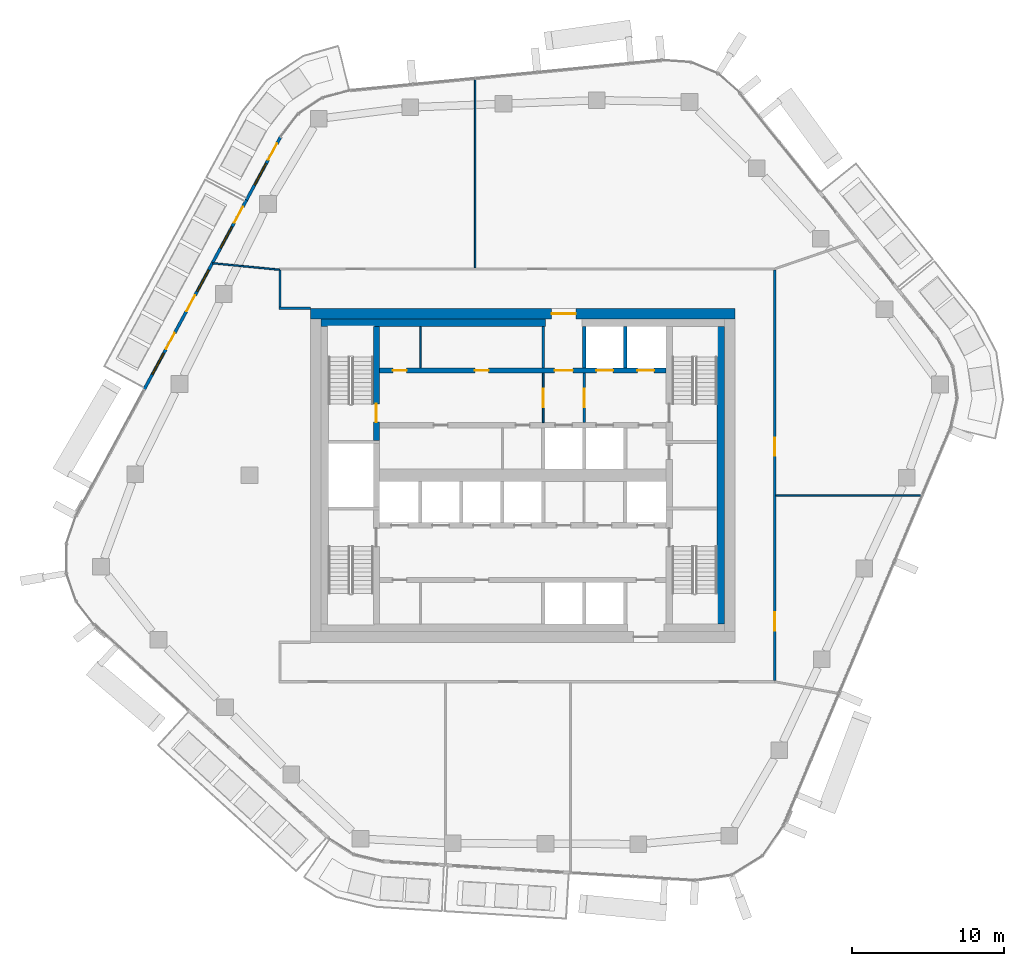
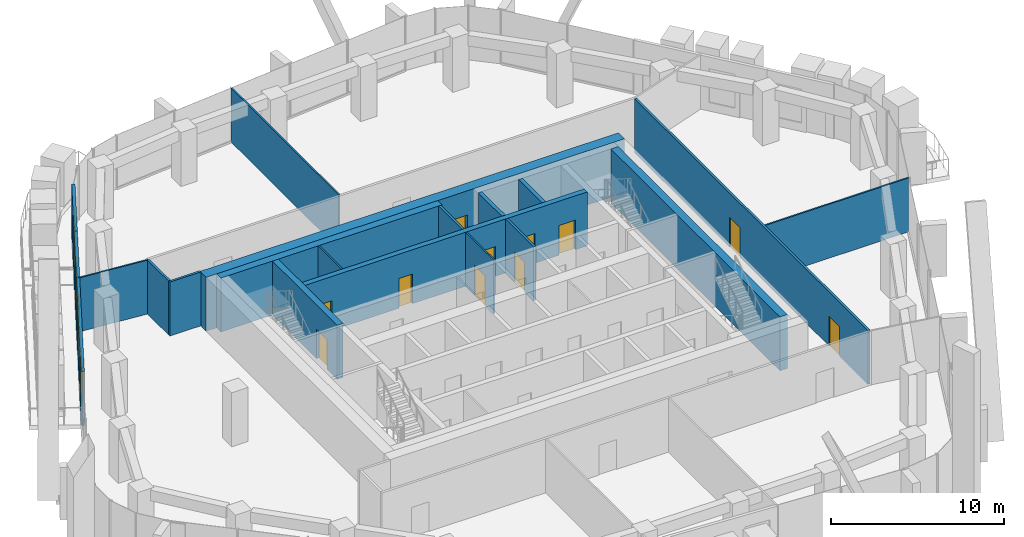
# One storey, part 13 of 20: 19 walls, 15 doors, 4 windows, 19 openings.
"""IFC4 building model written with IfcOpenShell, lengths in metres."""

from ifc_helpers import new_model, si_unit, direction, frame, frame_2d, origin, place, context, subcontext, project, spatial, rectangle, extrude, material, layer, layer_set, type_object, element, fill, save


model = new_model("IFC4")

# Units and contexts
model_context = context("Model", 3, precision=1e-05, world=origin(), true_north=direction((0.0, 1.0)))
body_context = subcontext(model_context, "Body", "Model", "MODEL_VIEW")
ifc_project = project(units=[si_unit("LENGTHUNIT", "METRE"), si_unit("AREAUNIT", "SQUARE_METRE"), si_unit("VOLUMEUNIT", "CUBIC_METRE"), si_unit("PLANEANGLEUNIT", "RADIAN"), si_unit("MASSUNIT", "GRAM", prefix="KILO")], contexts=[model_context])

# Site, building, storey
site_placement = place(None, origin())
site = spatial("IfcSite", under=ifc_project, at=site_placement, CompositionType="ELEMENT")
building_placement = place(site_placement, origin())
building = spatial("IfcBuilding", under=site, at=building_placement, Name="Dongbaek Canopy Tower", CompositionType="ELEMENT")
storey_placement = place(building_placement, frame((0.0, 0.0, 253.800048828125)))
storey = spatial("IfcBuildingStorey", under=building, at=storey_placement, Name="L53", CompositionType="ELEMENT", Elevation=253.800048828125)

# Wall, openings, doors
ifc_material_1 = material(Name="Concrete C60/75", Category="concrete")
ifc_layer_1 = layer(ifc_material_1, 0.35009765625)
ifc_layer_set_1 = layer_set([ifc_layer_1], Name="Core lobby wall 350 Concrete C60/75")
wall_type_1 = type_object("IfcWallType", Name="Core lobby wall 350 Concrete C60/75", PredefinedType="SHEAR", material=ifc_layer_set_1)
wall_1_placement = place(storey_placement, frame((-9.449951171875, 6.89990234375, 0.0), z_axis=(0.0, 0.0, 1.0), x_axis=(1.0, 0.0, 0.0)))
wall_1 = element("IfcWall", 1, at=wall_1_placement, inside=storey, type_object=wall_type_1, Name="Core wall", PredefinedType="SHEAR", context=body_context, shape_type="SweptSolid", body=[
    extrude(rectangle(XDim=18.89990234375, YDim=0.35009765625, at=frame_2d((9.449951171875, 0.0))), origin(), (0.0, 0.0, 1.0), 3.820068359375),
])
opening_1_placement = place(wall_1_placement, frame((11.550048828125, 0.0, 0.0)))
opening_1 = element("IfcOpeningElement", 2, at=opening_1_placement, cuts=wall_1, Name="Opening L53-D010", PredefinedType="OPENING", context=body_context, shape_type="SweptSolid", body=[
    extrude(rectangle(XDim=1.199951171875, YDim=2.10009765625, at=frame_2d((0.60009765625, 1.050048828125))), frame((0.0, 0.18505859375, 0.0), z_axis=(0.0, -1.0, 0.0), x_axis=(1.0, 0.0, 0.0)), (0.0, 0.0, 1.0), 0.3701171875),
])
opening_2_placement = place(wall_1_placement, frame((14.300048828125, 0.0, 0.0)))
opening_2 = element("IfcOpeningElement", 3, at=opening_2_placement, cuts=wall_1, Name="Opening L53-D011", PredefinedType="OPENING", context=body_context, shape_type="SweptSolid", body=[
    extrude(rectangle(XDim=1.10009765625, YDim=2.10009765625, at=frame_2d((0.550048828125, 1.050048828125))), frame((0.0, 0.18505859375, 0.0), z_axis=(0.0, -1.0, 0.0), x_axis=(1.0, 0.0, 0.0)), (0.0, 0.0, 1.0), 0.3701171875),
])
opening_3_placement = place(wall_1_placement, frame((17.0, 0.0, 0.0)))
opening_3 = element("IfcOpeningElement", 4, at=opening_3_placement, cuts=wall_1, Name="Opening L53-D012", PredefinedType="OPENING", context=body_context, shape_type="SweptSolid", body=[
    extrude(rectangle(XDim=1.10009765625, YDim=2.10009765625, at=frame_2d((0.550048828125, 1.050048828125))), frame((0.0, 0.18505859375, 0.0), z_axis=(0.0, -1.0, 0.0), x_axis=(1.0, 0.0, 0.0)), (0.0, 0.0, 1.0), 0.3701171875),
])
opening_4_placement = place(wall_1_placement, frame((0.89990234375, 0.0, 0.0)))
opening_4 = element("IfcOpeningElement", 5, at=opening_4_placement, cuts=wall_1, Name="Opening L53-D023", PredefinedType="OPENING", context=body_context, shape_type="SweptSolid", body=[
    extrude(rectangle(XDim=0.89990234375, YDim=2.10009765625, at=frame_2d((0.449951171875, 1.050048828125))), frame((0.0, 0.18505859375, 0.0), z_axis=(0.0, -1.0, 0.0), x_axis=(1.0, 0.0, 0.0)), (0.0, 0.0, 1.0), 0.3701171875),
])
opening_5_placement = place(wall_1_placement, frame((6.300048828125, 0.0, 0.0)))
opening_5 = element("IfcOpeningElement", 6, at=opening_5_placement, cuts=wall_1, Name="Opening L53-D024", PredefinedType="OPENING", context=body_context, shape_type="SweptSolid", body=[
    extrude(rectangle(XDim=0.89990234375, YDim=2.10009765625, at=frame_2d((0.449951171875, 1.050048828125))), frame((0.0, 0.18505859375, 0.0), z_axis=(0.0, -1.0, 0.0), x_axis=(1.0, 0.0, 0.0)), (0.0, 0.0, 1.0), 0.3701171875),
])
ifc_material_2 = material(Name="Steel", Category="steel")
door_type_1 = type_object("IfcDoorType", Name="Core room door 900 x 2100", OperationType="SINGLE_SWING_LEFT", PredefinedType="DOOR", material=ifc_material_2)
door_1_placement = place(opening_4_placement, origin())
door_1 = element("IfcDoor", 7, at=door_1_placement, inside=storey, type_object=door_type_1, Name="Door L53-D023", OperationType="SINGLE_SWING_RIGHT", OverallHeight=2.10009765625, OverallWidth=0.89990234375, PredefinedType="DOOR", context=body_context, shape_type="SweptSolid", body=[
    extrude(rectangle(XDim=0.89990234375, YDim=2.10009765625, at=frame_2d((0.449951171875, 1.050048828125))), frame((0.0, 0.02490234375, 0.0), z_axis=(0.0, -1.0, 0.0), x_axis=(1.0, 0.0, 0.0)), (0.0, 0.0, 1.0), 0.050048828125),
])
fill(opening_4, door_1)
door_2_placement = place(opening_5_placement, origin())
door_2 = element("IfcDoor", 8, at=door_2_placement, inside=storey, type_object=door_type_1, Name="Door L53-D024", OperationType="SINGLE_SWING_LEFT", OverallHeight=2.10009765625, OverallWidth=0.89990234375, PredefinedType="DOOR", context=body_context, shape_type="SweptSolid", body=[
    extrude(rectangle(XDim=0.89990234375, YDim=2.10009765625, at=frame_2d((0.449951171875, 1.050048828125))), frame((0.0, 0.02490234375, 0.0), z_axis=(0.0, -1.0, 0.0), x_axis=(1.0, 0.0, 0.0)), (0.0, 0.0, 1.0), 0.050048828125),
])
fill(opening_5, door_2)
ifc_material_3 = material(Name="Steel", Category="steel")
door_type_2 = type_object("IfcDoorType", Name="Fire lobby door 1200 x 2100", OperationType="SINGLE_SWING_LEFT", PredefinedType="DOOR", material=ifc_material_3)
door_3_placement = place(opening_1_placement, origin())
door_3 = element("IfcDoor", 9, at=door_3_placement, inside=storey, type_object=door_type_2, Name="Door L53-D010", OperationType="SINGLE_SWING_LEFT", OverallHeight=2.10009765625, OverallWidth=1.199951171875, PredefinedType="DOOR", context=body_context, shape_type="SweptSolid", body=[
    extrude(rectangle(XDim=1.199951171875, YDim=2.10009765625, at=frame_2d((0.60009765625, 1.050048828125))), frame((0.0, 0.02490234375, 0.0), z_axis=(0.0, -1.0, 0.0), x_axis=(1.0, 0.0, 0.0)), (0.0, 0.0, 1.0), 0.050048828125),
])
fill(opening_1, door_3)
ifc_material_4 = material(Name="Stainless steel", Category="steel")
door_type_3 = type_object("IfcDoorType", Name="Lift landing door 1100 x 2100", OperationType="DOUBLE_DOOR_SLIDING", PredefinedType="DOOR", material=ifc_material_4)
door_4_placement = place(opening_2_placement, origin())
door_4 = element("IfcDoor", 10, at=door_4_placement, inside=storey, type_object=door_type_3, Name="Landing door FF1", OperationType="DOUBLE_DOOR_SLIDING", OverallHeight=2.10009765625, OverallWidth=1.10009765625, PredefinedType="DOOR", context=body_context, shape_type="SweptSolid", body=[
    extrude(rectangle(XDim=1.10009765625, YDim=2.10009765625, at=frame_2d((0.550048828125, 1.050048828125))), frame((0.0, 0.02490234375, 0.0), z_axis=(0.0, -1.0, 0.0), x_axis=(1.0, 0.0, 0.0)), (0.0, 0.0, 1.0), 0.050048828125),
])
fill(opening_2, door_4)
door_5_placement = place(opening_3_placement, origin())
door_5 = element("IfcDoor", 11, at=door_5_placement, inside=storey, type_object=door_type_3, Name="Landing door FF2", OperationType="DOUBLE_DOOR_SLIDING", OverallHeight=2.10009765625, OverallWidth=1.10009765625, PredefinedType="DOOR", context=body_context, shape_type="SweptSolid", body=[
    extrude(rectangle(XDim=1.10009765625, YDim=2.10009765625, at=frame_2d((0.550048828125, 1.050048828125))), frame((0.0, 0.02490234375, 0.0), z_axis=(0.0, -1.0, 0.0), x_axis=(1.0, 0.0, 0.0)), (0.0, 0.0, 1.0), 0.050048828125),
])
fill(opening_3, door_5)

# Wall, opening, door
ifc_material_5 = material(Name="Concrete C70/85", Category="concrete")
ifc_layer_2 = layer(ifc_material_5, 0.699951171875)
ifc_layer_set_2 = layer_set([ifc_layer_2], Name="Core outer wall 700 Concrete C70/85")
wall_type_2 = type_object("IfcWallType", Name="Core outer wall 700 Concrete C70/85", PredefinedType="SHEAR", material=ifc_layer_set_2)
wall_2_placement = place(storey_placement, frame((-14.0, 10.64990234375, 0.0), z_axis=(0.0, 0.0, 1.0), x_axis=(1.0, 0.0, 0.0)))
wall_2 = element("IfcWall", 12, at=wall_2_placement, inside=storey, type_object=wall_type_2, Name="Core wall", PredefinedType="SHEAR", context=body_context, shape_type="SweptSolid", body=[
    extrude(rectangle(XDim=28.0, YDim=0.699951171875, at=frame_2d((14.0, 0.0))), origin(), (0.0, 0.0, 1.0), 3.820068359375),
])
opening_6_placement = place(wall_2_placement, frame((15.89990234375, 0.0, 0.0)))
opening_6 = element("IfcOpeningElement", 13, at=opening_6_placement, cuts=wall_2, Name="Opening L53-D009", PredefinedType="OPENING", context=body_context, shape_type="SweptSolid", body=[
    extrude(rectangle(XDim=1.60009765625, YDim=2.10009765625, at=frame_2d((0.800048828125, 1.050048828125))), frame((0.0, 0.35986328125, 0.0), z_axis=(0.0, -1.0, 0.0), x_axis=(1.0, 0.0, 0.0)), (0.0, 0.0, 1.0), 0.719970703125),
])
ifc_material_6 = material(Name="Steel", Category="steel")
door_type_4 = type_object("IfcDoorType", Name="Core exit door 1600 x 2100", OperationType="DOUBLE_DOOR_SINGLE_SWING", PredefinedType="DOOR", material=ifc_material_6)
door_6_placement = place(opening_6_placement, origin())
door_6 = element("IfcDoor", 14, at=door_6_placement, inside=storey, type_object=door_type_4, Name="Core exit door", OperationType="DOUBLE_DOOR_SINGLE_SWING", OverallHeight=2.10009765625, OverallWidth=1.60009765625, PredefinedType="DOOR", context=body_context, shape_type="SweptSolid", body=[
    extrude(rectangle(XDim=1.60009765625, YDim=2.10009765625, at=frame_2d((0.800048828125, 1.050048828125))), frame((0.0, 0.02490234375, 0.0), z_axis=(0.0, -1.0, 0.0), x_axis=(1.0, 0.0, 0.0)), (0.0, 0.0, 1.0), 0.050048828125),
])
fill(opening_6, door_6)

# Walls
ifc_material_7 = material(Name="Concrete C60/75", Category="concrete")
ifc_layer_3 = layer(ifc_material_7, 0.5)
ifc_layer_set_3 = layer_set([ifc_layer_3], Name="Core wall lining 500 Concrete C60/75")
wall_type_3 = type_object("IfcWallType", Name="Core wall lining 500 Concrete C60/75", PredefinedType="SHEAR", material=ifc_layer_set_3)
wall_3_placement = place(storey_placement, frame((-13.300048828125, 10.050048828125, 0.0), z_axis=(0.0, 0.0, 1.0), x_axis=(1.0, 0.0, 0.0)))
element("IfcWall", 15, at=wall_3_placement, inside=storey, type_object=wall_type_3, Name="Core wall lining", PredefinedType="SHEAR", context=body_context, shape_type="SweptSolid", body=[
    extrude(rectangle(XDim=14.800048828125, YDim=0.5, at=frame_2d((7.39990234375, 0.0))), origin(), (0.0, 0.0, 1.0), 3.820068359375),
])
wall_4_placement = place(storey_placement, frame((13.050048828125, 9.800048828125, 0.0), z_axis=(0.0, 0.0, 1.0), x_axis=(0.0, -1.0, 0.0)))
element("IfcWall", 16, at=wall_4_placement, inside=storey, type_object=wall_type_3, Name="Core wall lining", PredefinedType="SHEAR", context=body_context, shape_type="SweptSolid", body=[
    extrude(rectangle(XDim=19.60009765625, YDim=0.5, at=frame_2d((9.800048828125, 0.0))), origin(), (0.0, 0.0, 1.0), 3.820068359375),
])
ifc_material_8 = material(Name="Gypsum board partition, steel stud, 2 x 15 mm fire board", Category="steel")
ifc_layer_4 = layer(ifc_material_8, 0.14990234375)
ifc_layer_set_4 = layer_set([ifc_layer_4], Name="Fire-rated partition 150 gypsum board")
wall_type_4 = type_object("IfcWallType", Name="Fire-rated partition 150 gypsum board", PredefinedType="PARTITIONING", material=ifc_layer_set_4)
wall_5_placement = place(storey_placement, frame((-16.074951171875, 10.9990234375, 0.0), z_axis=(0.0, 0.0, 1.0), x_axis=(1.0, 0.0, 0.0)))
element("IfcWall", 17, at=wall_5_placement, inside=storey, type_object=wall_type_4, Name="Corridor partition", PredefinedType="PARTITIONING", context=body_context, shape_type="SweptSolid", body=[
    extrude(rectangle(XDim=2.074951171875, YDim=0.14990234375, at=frame_2d((1.03759765625, 0.0))), origin(), (0.0, 0.0, 1.0), 3.820068359375),
])

# Wall, openings, doors
wall_6_placement = place(storey_placement, frame((16.60009765625, 13.52490234375, 0.0), z_axis=(0.0, 0.0, 1.0), x_axis=(0.0, -1.0, 0.0)))
wall_6 = element("IfcWall", 18, at=wall_6_placement, inside=storey, type_object=wall_type_4, Name="Corridor partition", PredefinedType="PARTITIONING", context=body_context, shape_type="SweptSolid", body=[
    extrude(rectangle(XDim=27.0498046875, YDim=0.14990234375, at=frame_2d((13.52490234375, 0.0))), origin(), (0.0, 0.0, 1.0), 3.820068359375),
])
opening_7_placement = place(wall_6_placement, frame((22.558837890625, 0.0, 0.0)))
opening_7 = element("IfcOpeningElement", 19, at=opening_7_placement, cuts=wall_6, Name="Opening L53-D004", PredefinedType="OPENING", context=body_context, shape_type="SweptSolid", body=[
    extrude(rectangle(XDim=1.199951171875, YDim=2.10009765625, at=frame_2d((0.60009765625, 1.050048828125))), frame((0.0, 0.0849609375, 0.0), z_axis=(0.0, -1.0, 0.0), x_axis=(1.0, 0.0, 0.0)), (0.0, 0.0, 1.0), 0.169921875),
])
opening_8_placement = place(wall_6_placement, frame((11.035888671875, 0.0, 0.0)))
opening_8 = element("IfcOpeningElement", 20, at=opening_8_placement, cuts=wall_6, Name="Opening L53-D005", PredefinedType="OPENING", context=body_context, shape_type="SweptSolid", body=[
    extrude(rectangle(XDim=1.199951171875, YDim=2.10009765625, at=frame_2d((0.60009765625, 1.050048828125))), frame((0.0, 0.0849609375, 0.0), z_axis=(0.0, -1.0, 0.0), x_axis=(1.0, 0.0, 0.0)), (0.0, 0.0, 1.0), 0.169921875),
])
ifc_material_9 = material(Name="Timber veneered door leaf", Category="wood")
door_type_5 = type_object("IfcDoorType", Name="Room door 1200 x 2100", OperationType="SINGLE_SWING_LEFT", PredefinedType="DOOR", material=ifc_material_9)
door_7_placement = place(opening_7_placement, origin())
door_7 = element("IfcDoor", 21, at=door_7_placement, inside=storey, type_object=door_type_5, Name="Door L53-D004", OperationType="SINGLE_SWING_LEFT", OverallHeight=2.10009765625, OverallWidth=1.199951171875, PredefinedType="DOOR", context=body_context, shape_type="SweptSolid", body=[
    extrude(rectangle(XDim=1.199951171875, YDim=2.10009765625, at=frame_2d((0.60009765625, 1.050048828125))), frame((0.0, 0.02490234375, 0.0), z_axis=(0.0, -1.0, 0.0), x_axis=(1.0, 0.0, 0.0)), (0.0, 0.0, 1.0), 0.050048828125),
])
fill(opening_7, door_7)
door_8_placement = place(opening_8_placement, origin())
door_8 = element("IfcDoor", 22, at=door_8_placement, inside=storey, type_object=door_type_5, Name="Door L53-D005", OperationType="SINGLE_SWING_RIGHT", OverallHeight=2.10009765625, OverallWidth=1.199951171875, PredefinedType="DOOR", context=body_context, shape_type="SweptSolid", body=[
    extrude(rectangle(XDim=1.199951171875, YDim=2.10009765625, at=frame_2d((0.60009765625, 1.050048828125))), frame((0.0, 0.02490234375, 0.0), z_axis=(0.0, -1.0, 0.0), x_axis=(1.0, 0.0, 0.0)), (0.0, 0.0, 1.0), 0.050048828125),
])
fill(opening_8, door_8)

# Wall
wall_7_placement = place(storey_placement, frame((-16.0, 11.073974609375, 0.0), z_axis=(0.0, 0.0, 1.0), x_axis=(0.0, 1.0, 0.0)))
element("IfcWall", 23, at=wall_7_placement, inside=storey, type_object=wall_type_4, Name="Corridor partition", PredefinedType="PARTITIONING", context=body_context, shape_type="SweptSolid", body=[
    extrude(rectangle(XDim=2.450927734375, YDim=0.14990234375, at=frame_2d((1.2255859375, 0.0))), origin(), (0.0, 0.0, 1.0), 3.820068359375),
])

# Wall, opening, door
wall_8_placement = place(storey_placement, frame((4.050048828125, 6.72509765625, 0.0), z_axis=(0.0, 0.0, 1.0), x_axis=(0.0, -1.0, 0.0)))
wall_8 = element("IfcWall", 24, at=wall_8_placement, inside=storey, type_object=wall_type_4, Name="Fire lobby partition", PredefinedType="PARTITIONING", context=body_context, shape_type="SweptSolid", body=[
    extrude(rectangle(XDim=3.25, YDim=0.14990234375, at=frame_2d((1.625, 0.0))), origin(), (0.0, 0.0, 1.0), 3.820068359375),
])
opening_9_placement = place(wall_8_placement, frame((1.02490234375, 0.0, 0.0)))
opening_9 = element("IfcOpeningElement", 25, at=opening_9_placement, cuts=wall_8, Name="Opening L53-D036", PredefinedType="OPENING", context=body_context, shape_type="SweptSolid", body=[
    extrude(rectangle(XDim=1.199951171875, YDim=2.10009765625, at=frame_2d((0.60009765625, 1.050048828125))), frame((0.0, 0.0849609375, 0.0), z_axis=(0.0, -1.0, 0.0), x_axis=(1.0, 0.0, 0.0)), (0.0, 0.0, 1.0), 0.169921875),
])
door_9_placement = place(opening_9_placement, origin())
door_9 = element("IfcDoor", 26, at=door_9_placement, inside=storey, type_object=door_type_2, Name="Door L53-D036", OperationType="SINGLE_SWING_RIGHT", OverallHeight=2.10009765625, OverallWidth=1.199951171875, PredefinedType="DOOR", context=body_context, shape_type="SweptSolid", body=[
    extrude(rectangle(XDim=1.199951171875, YDim=2.10009765625, at=frame_2d((0.60009765625, 1.050048828125))), frame((0.0, 0.02490234375, 0.0), z_axis=(0.0, -1.0, 0.0), x_axis=(1.0, 0.0, 0.0)), (0.0, 0.0, 1.0), 0.050048828125),
])
fill(opening_9, door_9)

# Walls
wall_9_placement = place(storey_placement, frame((1.35009765625, 7.074951171875, 0.0), z_axis=(0.0, 0.0, 1.0), x_axis=(0.0, 1.0, 0.0)))
element("IfcWall", 27, at=wall_9_placement, inside=storey, type_object=wall_type_4, Name="Fire lobby partition", PredefinedType="PARTITIONING", context=body_context, shape_type="SweptSolid", body=[
    extrude(rectangle(XDim=2.72509765625, YDim=0.14990234375, at=frame_2d((1.362548828125, 0.0))), origin(), (0.0, 0.0, 1.0), 3.820068359375),
])
ifc_material_10 = material(Name="Concrete C40/50", Category="concrete")
ifc_layer_5 = layer(ifc_material_10, 0.25)
ifc_layer_set_5 = layer_set([ifc_layer_5], Name="Lift shaft wall 250 Concrete C40/50")
wall_type_5 = type_object("IfcWallType", Name="Lift shaft wall 250 Concrete C40/50", PredefinedType="SOLIDWALL", material=ifc_layer_set_5)
for number, where, z_axis, x_axis, name in (
    (28, (6.75, 7.074951171875, 0.0), (0.0, 0.0, 1.0), (0.0, 1.0, 0.0), "Lift shaft wall"),
    (29, (4.050048828125, 7.074951171875, 0.0), (0.0, 0.0, 1.0), (0.0, 1.0, 0.0), "Lift shaft wall"),
):
    element("IfcWall", number, at=place(storey_placement, frame(where, z_axis=z_axis, x_axis=x_axis)), inside=storey, type_object=wall_type_5, Name=name, PredefinedType="SOLIDWALL", context=body_context, shape_type="SweptSolid", body=[
        extrude(rectangle(XDim=2.72509765625, YDim=0.25, at=frame_2d((1.362548828125, 0.0))), origin(), (0.0, 0.0, 1.0), 3.820068359375),
    ])
ifc_material_11 = material(Name="Gypsum board partition, steel stud, 2 x 12.5 mm board", Category="steel")
ifc_layer_6 = layer(ifc_material_11, 0.10009765625)
ifc_layer_set_6 = layer_set([ifc_layer_6], Name="Partition 100 gypsum board")
wall_type_6 = type_object("IfcWallType", Name="Partition 100 gypsum board", PredefinedType="PARTITIONING", material=ifc_layer_set_6)
wall_10_placement = place(storey_placement, frame((16.675048828125, -1.31494140625, 0.0), z_axis=(0.0, 0.0, 1.0), x_axis=(1.0, 0.0, 0.0)))
element("IfcWall", 30, at=wall_10_placement, inside=storey, type_object=wall_type_6, Name="Partition", PredefinedType="PARTITIONING", context=body_context, shape_type="SweptSolid", body=[
    extrude(rectangle(XDim=9.625732421875, YDim=0.10009765625, at=frame_2d((4.81298828125, 0.0))), origin(), (0.0, 0.0, 1.0), 3.820068359375),
])
wall_11_placement = place(storey_placement, frame((-3.14111328125, 13.675048828125, 0.0), z_axis=(0.0, 0.0, 1.0), x_axis=(0.0, 1.0, 0.0)))
element("IfcWall", 31, at=wall_11_placement, inside=storey, type_object=wall_type_6, Name="Partition", PredefinedType="PARTITIONING", context=body_context, shape_type="SweptSolid", body=[
    extrude(rectangle(XDim=12.466064453125, YDim=0.10009765625, at=frame_2d((6.23291015625, 0.0))), origin(), (0.0, 0.0, 1.0), 3.820068359375),
])
wall_12_placement = place(storey_placement, frame((-20.4296875, 13.972412109375, 0.0), z_axis=(0.0, 0.0, 1.0), x_axis=(0.995312443594, -0.096711631286, 0.0)))
element("IfcWall", 32, at=wall_12_placement, inside=storey, type_object=wall_type_6, Name="Partition", PredefinedType="PARTITIONING", context=body_context, shape_type="SweptSolid", body=[
    extrude(rectangle(XDim=4.450439453125, YDim=0.10009765625, at=frame_2d((2.22509765625, 0.0))), origin(), (0.0, 0.0, 1.0), 3.820068359375),
])

# Wall, opening, door
wall_13_placement = place(storey_placement, frame((1.35009765625, 6.72509765625, 0.0), z_axis=(0.0, 0.0, 1.0), x_axis=(0.0, -1.0, 0.0)))
wall_13 = element("IfcWall", 33, at=wall_13_placement, inside=storey, type_object=wall_type_6, Name="Core partition", PredefinedType="PARTITIONING", context=body_context, shape_type="SweptSolid", body=[
    extrude(rectangle(XDim=3.25, YDim=0.10009765625, at=frame_2d((1.625, 0.0))), origin(), (0.0, 0.0, 1.0), 3.820068359375),
])
opening_10_placement = place(wall_13_placement, frame((1.02490234375, 0.0, 0.0)))
opening_10 = element("IfcOpeningElement", 34, at=opening_10_placement, cuts=wall_13, Name="Opening L53-D035", PredefinedType="OPENING", context=body_context, shape_type="SweptSolid", body=[
    extrude(rectangle(XDim=1.199951171875, YDim=2.10009765625, at=frame_2d((0.60009765625, 1.050048828125))), frame((0.0, 0.06005859375, 0.0), z_axis=(0.0, -1.0, 0.0), x_axis=(1.0, 0.0, 0.0)), (0.0, 0.0, 1.0), 0.1201171875),
])
door_10_placement = place(opening_10_placement, origin())
door_10 = element("IfcDoor", 35, at=door_10_placement, inside=storey, type_object=door_type_2, Name="Door L53-D035", OperationType="SINGLE_SWING_LEFT", OverallHeight=2.10009765625, OverallWidth=1.199951171875, PredefinedType="DOOR", context=body_context, shape_type="SweptSolid", body=[
    extrude(rectangle(XDim=1.199951171875, YDim=2.10009765625, at=frame_2d((0.60009765625, 1.050048828125))), frame((0.0, 0.02490234375, 0.0), z_axis=(0.0, -1.0, 0.0), x_axis=(1.0, 0.0, 0.0)), (0.0, 0.0, 1.0), 0.050048828125),
])
fill(opening_10, door_10)

# Wall
wall_14_placement = place(storey_placement, frame((-6.75, 7.074951171875, 0.0), z_axis=(0.0, 0.0, 1.0), x_axis=(0.0, 1.0, 0.0)))
element("IfcWall", 36, at=wall_14_placement, inside=storey, type_object=wall_type_6, Name="Core partition", PredefinedType="PARTITIONING", context=body_context, shape_type="SweptSolid", body=[
    extrude(rectangle(XDim=2.72509765625, YDim=0.10009765625, at=frame_2d((1.362548828125, 0.0))), origin(), (0.0, 0.0, 1.0), 3.820068359375),
])

# Wall, opening, door
ifc_material_12 = material(Name="Concrete C60/75", Category="concrete")
ifc_layer_7 = layer(ifc_material_12, 0.39990234375)
ifc_layer_set_7 = layer_set([ifc_layer_7], Name="Stair wall 400 Concrete C60/75")
wall_type_7 = type_object("IfcWallType", Name="Stair wall 400 Concrete C60/75", PredefinedType="SHEAR", material=ifc_layer_set_7)
wall_15_placement = place(storey_placement, frame((-9.64990234375, 2.300048828125, 0.0), z_axis=(0.0, 0.0, 1.0), x_axis=(0.0, 1.0, 0.0)))
wall_15 = element("IfcWall", 37, at=wall_15_placement, inside=storey, type_object=wall_type_7, Name="Stair wall", PredefinedType="SHEAR", context=body_context, shape_type="SweptSolid", body=[
    extrude(rectangle(XDim=7.5, YDim=0.39990234375, at=frame_2d((3.75, 0.0))), origin(), (0.0, 0.0, 1.0), 3.820068359375),
])
opening_11_placement = place(wall_15_placement, frame((1.199951171875, 0.0, 0.0)))
opening_11 = element("IfcOpeningElement", 38, at=opening_11_placement, cuts=wall_15, Name="Opening L53-D032", PredefinedType="OPENING", context=body_context, shape_type="SweptSolid", body=[
    extrude(rectangle(XDim=1.199951171875, YDim=2.10009765625, at=frame_2d((0.60009765625, 1.050048828125))), frame((0.0, 0.2099609375, 0.0), z_axis=(0.0, -1.0, 0.0), x_axis=(1.0, 0.0, 0.0)), (0.0, 0.0, 1.0), 0.419921875),
])
ifc_material_13 = material(Name="Steel", Category="steel")
door_type_6 = type_object("IfcDoorType", Name="Stair door 1200 x 2100", OperationType="SINGLE_SWING_LEFT", PredefinedType="DOOR", material=ifc_material_13)
door_11_placement = place(opening_11_placement, origin())
door_11 = element("IfcDoor", 39, at=door_11_placement, inside=storey, type_object=door_type_6, Name="Stair C door", OperationType="SINGLE_SWING_RIGHT", OverallHeight=2.10009765625, OverallWidth=1.199951171875, PredefinedType="DOOR", context=body_context, shape_type="SweptSolid", body=[
    extrude(rectangle(XDim=1.199951171875, YDim=2.10009765625, at=frame_2d((0.60009765625, 1.050048828125))), frame((0.0, 0.02490234375, 0.0), z_axis=(0.0, -1.0, 0.0), x_axis=(1.0, 0.0, 0.0)), (0.0, 0.0, 1.0), 0.050048828125),
])
fill(opening_11, door_11)

# Wall, openings, doors, windows
ifc_material_14 = material(Name="Aluminium window wall", Category="aluminium")
ifc_layer_8 = layer(ifc_material_14, 0.199951171875)
ifc_layer_set_8 = layer_set([ifc_layer_8], Name="Window wall 200")
wall_type_8 = type_object("IfcWallType", Name="Window wall 200", PredefinedType="SOLIDWALL", material=ifc_layer_set_8)
wall_16_placement = place(storey_placement, frame((-18.20361328125, 18.13623046875, 0.0), z_axis=(0.0, 0.0, 1.0), x_axis=(-0.475207525375, -0.87987374539, 0.0)))
wall_16 = element("IfcWall", 40, at=wall_16_placement, inside=storey, type_object=wall_type_8, Name="Window wall L53 2", PredefinedType="SOLIDWALL", context=body_context, shape_type="SweptSolid", body=[
    extrude(rectangle(XDim=14.18994140625, YDim=0.199951171875, at=frame_2d((7.094970703125, 0.0))), origin(), (0.0, 0.0, 1.0), 3.820068359375),
])
opening_12_placement = place(wall_16_placement, frame((2.0, 0.0, 0.60009765625)))
opening_12 = element("IfcOpeningElement", 41, at=opening_12_placement, cuts=wall_16, Name="Opening W1", PredefinedType="OPENING", context=body_context, shape_type="SweptSolid", body=[
    extrude(rectangle(XDim=1.60009765625, YDim=2.39990234375, at=frame_2d((0.800048828125, 1.199951171875))), frame((0.0, 0.10986328125, 0.0), z_axis=(0.0, -1.0, 0.0), x_axis=(1.0, 0.0, 0.0)), (0.0, 0.0, 1.0), 0.219970703125),
])
opening_13_placement = place(wall_16_placement, frame((0.5, 0.0, 0.0)))
opening_13 = element("IfcOpeningElement", 42, at=opening_13_placement, cuts=wall_16, Name="Opening L53-B04", PredefinedType="OPENING", context=body_context, shape_type="SweptSolid", body=[
    extrude(rectangle(XDim=1.199951171875, YDim=2.39990234375, at=frame_2d((0.60009765625, 1.199951171875))), frame((0.0, 0.10986328125, 0.0), z_axis=(0.0, -1.0, 0.0), x_axis=(1.0, 0.0, 0.0)), (0.0, 0.0, 1.0), 0.219970703125),
])
opening_14_placement = place(wall_16_placement, frame((5.22998046875, 0.0, 0.60009765625)))
opening_14 = element("IfcOpeningElement", 43, at=opening_14_placement, cuts=wall_16, Name="Opening W1", PredefinedType="OPENING", context=body_context, shape_type="SweptSolid", body=[
    extrude(rectangle(XDim=1.60009765625, YDim=2.39990234375, at=frame_2d((0.800048828125, 1.199951171875))), frame((0.0, 0.10986328125, 0.0), z_axis=(0.0, -1.0, 0.0), x_axis=(1.0, 0.0, 0.0)), (0.0, 0.0, 1.0), 0.219970703125),
])
opening_15_placement = place(wall_16_placement, frame((7.130126953125, 0.0, 0.0)))
opening_15 = element("IfcOpeningElement", 44, at=opening_15_placement, cuts=wall_16, Name="Opening L53-B05", PredefinedType="OPENING", context=body_context, shape_type="SweptSolid", body=[
    extrude(rectangle(XDim=1.199951171875, YDim=2.39990234375, at=frame_2d((0.60009765625, 1.199951171875))), frame((0.0, 0.10986328125, 0.0), z_axis=(0.0, -1.0, 0.0), x_axis=(1.0, 0.0, 0.0)), (0.0, 0.0, 1.0), 0.219970703125),
])
opening_16_placement = place(wall_16_placement, frame((11.4599609375, 0.0, 0.60009765625)))
opening_16 = element("IfcOpeningElement", 45, at=opening_16_placement, cuts=wall_16, Name="Opening W1", PredefinedType="OPENING", context=body_context, shape_type="SweptSolid", body=[
    extrude(rectangle(XDim=1.60009765625, YDim=2.39990234375, at=frame_2d((0.800048828125, 1.199951171875))), frame((0.0, 0.10986328125, 0.0), z_axis=(0.0, -1.0, 0.0), x_axis=(1.0, 0.0, 0.0)), (0.0, 0.0, 1.0), 0.219970703125),
])
opening_17_placement = place(wall_16_placement, frame((9.9599609375, 0.0, 0.0)))
opening_17 = element("IfcOpeningElement", 46, at=opening_17_placement, cuts=wall_16, Name="Opening L53-B06", PredefinedType="OPENING", context=body_context, shape_type="SweptSolid", body=[
    extrude(rectangle(XDim=1.199951171875, YDim=2.39990234375, at=frame_2d((0.60009765625, 1.199951171875))), frame((0.0, 0.10986328125, 0.0), z_axis=(0.0, -1.0, 0.0), x_axis=(1.0, 0.0, 0.0)), (0.0, 0.0, 1.0), 0.219970703125),
])
ifc_material_15 = material(Name="Clear glazing in aluminium frame", Category="aluminium")
door_type_7 = type_object("IfcDoorType", Name="Balcony door BD1 1200 x 2400", OperationType="SLIDING_TO_LEFT", PredefinedType="DOOR", material=ifc_material_15)
door_12_placement = place(opening_13_placement, origin())
door_12 = element("IfcDoor", 47, at=door_12_placement, inside=storey, type_object=door_type_7, Name="Balcony door L53-B04", OperationType="SLIDING_TO_LEFT", OverallHeight=2.39990234375, OverallWidth=1.199951171875, PredefinedType="DOOR", context=body_context, shape_type="SweptSolid", body=[
    extrude(rectangle(XDim=1.199951171875, YDim=2.39990234375, at=frame_2d((0.60009765625, 1.199951171875))), frame((0.0, 0.02490234375, 0.0), z_axis=(0.0, -1.0, 0.0), x_axis=(1.0, 0.0, 0.0)), (0.0, 0.0, 1.0), 0.050048828125),
])
fill(opening_13, door_12)
door_13_placement = place(opening_15_placement, origin())
door_13 = element("IfcDoor", 48, at=door_13_placement, inside=storey, type_object=door_type_7, Name="Balcony door L53-B05", OperationType="SLIDING_TO_LEFT", OverallHeight=2.39990234375, OverallWidth=1.199951171875, PredefinedType="DOOR", context=body_context, shape_type="SweptSolid", body=[
    extrude(rectangle(XDim=1.199951171875, YDim=2.39990234375, at=frame_2d((0.60009765625, 1.199951171875))), frame((0.0, 0.02490234375, 0.0), z_axis=(0.0, -1.0, 0.0), x_axis=(1.0, 0.0, 0.0)), (0.0, 0.0, 1.0), 0.050048828125),
])
fill(opening_15, door_13)
door_14_placement = place(opening_17_placement, origin())
door_14 = element("IfcDoor", 49, at=door_14_placement, inside=storey, type_object=door_type_7, Name="Balcony door L53-B06", OperationType="SLIDING_TO_LEFT", OverallHeight=2.39990234375, OverallWidth=1.199951171875, PredefinedType="DOOR", context=body_context, shape_type="SweptSolid", body=[
    extrude(rectangle(XDim=1.199951171875, YDim=2.39990234375, at=frame_2d((0.60009765625, 1.199951171875))), frame((0.0, 0.02490234375, 0.0), z_axis=(0.0, -1.0, 0.0), x_axis=(1.0, 0.0, 0.0)), (0.0, 0.0, 1.0), 0.050048828125),
])
fill(opening_17, door_14)
ifc_material_16 = material(Name="Clear glazing in aluminium frame", Category="aluminium")
window_type = type_object("IfcWindowType", Name="Window W1 1600 x 2400", PartitioningType="SINGLE_PANEL", PredefinedType="WINDOW", material=ifc_material_16)
window_1_placement = place(opening_12_placement, origin())
window_1 = element("IfcWindow", 50, at=window_1_placement, inside=storey, type_object=window_type, Name="Window L53 2.1", OverallHeight=2.39990234375, OverallWidth=1.60009765625, PartitioningType="SINGLE_PANEL", PredefinedType="WINDOW", context=body_context, shape_type="SweptSolid", body=[
    extrude(rectangle(XDim=1.60009765625, YDim=2.39990234375, at=frame_2d((0.800048828125, 1.199951171875))), frame((0.0, 0.030029296875, 0.0), z_axis=(0.0, -1.0, 0.0), x_axis=(1.0, 0.0, 0.0)), (0.0, 0.0, 1.0), 0.06005859375),
])
fill(opening_12, window_1)
window_2_placement = place(opening_14_placement, origin())
window_2 = element("IfcWindow", 51, at=window_2_placement, inside=storey, type_object=window_type, Name="Window L53 2.2", OverallHeight=2.39990234375, OverallWidth=1.60009765625, PartitioningType="SINGLE_PANEL", PredefinedType="WINDOW", context=body_context, shape_type="SweptSolid", body=[
    extrude(rectangle(XDim=1.60009765625, YDim=2.39990234375, at=frame_2d((0.800048828125, 1.199951171875))), frame((0.0, 0.030029296875, 0.0), z_axis=(0.0, -1.0, 0.0), x_axis=(1.0, 0.0, 0.0)), (0.0, 0.0, 1.0), 0.06005859375),
])
fill(opening_14, window_2)
window_3_placement = place(opening_16_placement, origin())
window_3 = element("IfcWindow", 52, at=window_3_placement, inside=storey, type_object=window_type, Name="Window L53 2.3", OverallHeight=2.39990234375, OverallWidth=1.60009765625, PartitioningType="SINGLE_PANEL", PredefinedType="WINDOW", context=body_context, shape_type="SweptSolid", body=[
    extrude(rectangle(XDim=1.60009765625, YDim=2.39990234375, at=frame_2d((0.800048828125, 1.199951171875))), frame((0.0, 0.030029296875, 0.0), z_axis=(0.0, -1.0, 0.0), x_axis=(1.0, 0.0, 0.0)), (0.0, 0.0, 1.0), 0.06005859375),
])
fill(opening_16, window_3)

# Wall, openings, door, window
wall_17_placement = place(storey_placement, frame((-15.959716796875, 22.291015625, 0.0), z_axis=(0.0, 0.0, 1.0), x_axis=(-0.47520015235, -0.879877727418, 0.0)))
wall_17 = element("IfcWall", 53, at=wall_17_placement, inside=storey, type_object=wall_type_8, Name="Window wall L53 6", PredefinedType="SOLIDWALL", context=body_context, shape_type="SweptSolid", body=[
    extrude(rectangle(XDim=4.721923828125, YDim=0.199951171875, at=frame_2d((2.36083984375, 0.0))), origin(), (0.0, 0.0, 1.0), 3.820068359375),
])
opening_18_placement = place(wall_17_placement, frame((2.0, 0.0, 0.60009765625)))
opening_18 = element("IfcOpeningElement", 54, at=opening_18_placement, cuts=wall_17, Name="Opening W1", PredefinedType="OPENING", context=body_context, shape_type="SweptSolid", body=[
    extrude(rectangle(XDim=1.60009765625, YDim=2.39990234375, at=frame_2d((0.800048828125, 1.199951171875))), frame((0.0, 0.10986328125, 0.0), z_axis=(0.0, -1.0, 0.0), x_axis=(1.0, 0.0, 0.0)), (0.0, 0.0, 1.0), 0.219970703125),
])
opening_19_placement = place(wall_17_placement, frame((0.5, 0.0, 0.0)))
opening_19 = element("IfcOpeningElement", 55, at=opening_19_placement, cuts=wall_17, Name="Opening L53-B07", PredefinedType="OPENING", context=body_context, shape_type="SweptSolid", body=[
    extrude(rectangle(XDim=1.199951171875, YDim=2.39990234375, at=frame_2d((0.60009765625, 1.199951171875))), frame((0.0, 0.10986328125, 0.0), z_axis=(0.0, -1.0, 0.0), x_axis=(1.0, 0.0, 0.0)), (0.0, 0.0, 1.0), 0.219970703125),
])
door_15_placement = place(opening_19_placement, origin())
door_15 = element("IfcDoor", 56, at=door_15_placement, inside=storey, type_object=door_type_7, Name="Balcony door L53-B07", OperationType="SLIDING_TO_LEFT", OverallHeight=2.39990234375, OverallWidth=1.199951171875, PredefinedType="DOOR", context=body_context, shape_type="SweptSolid", body=[
    extrude(rectangle(XDim=1.199951171875, YDim=2.39990234375, at=frame_2d((0.60009765625, 1.199951171875))), frame((0.0, 0.02490234375, 0.0), z_axis=(0.0, -1.0, 0.0), x_axis=(1.0, 0.0, 0.0)), (0.0, 0.0, 1.0), 0.050048828125),
])
fill(opening_19, door_15)
window_4_placement = place(opening_18_placement, origin())
window_4 = element("IfcWindow", 57, at=window_4_placement, inside=storey, type_object=window_type, Name="Window L53 6.1", OverallHeight=2.39990234375, OverallWidth=1.60009765625, PartitioningType="SINGLE_PANEL", PredefinedType="WINDOW", context=body_context, shape_type="SweptSolid", body=[
    extrude(rectangle(XDim=1.60009765625, YDim=2.39990234375, at=frame_2d((0.800048828125, 1.199951171875))), frame((0.0, 0.030029296875, 0.0), z_axis=(0.0, -1.0, 0.0), x_axis=(1.0, 0.0, 0.0)), (0.0, 0.0, 1.0), 0.06005859375),
])
fill(opening_18, window_4)

save(model, "model.ifc")
